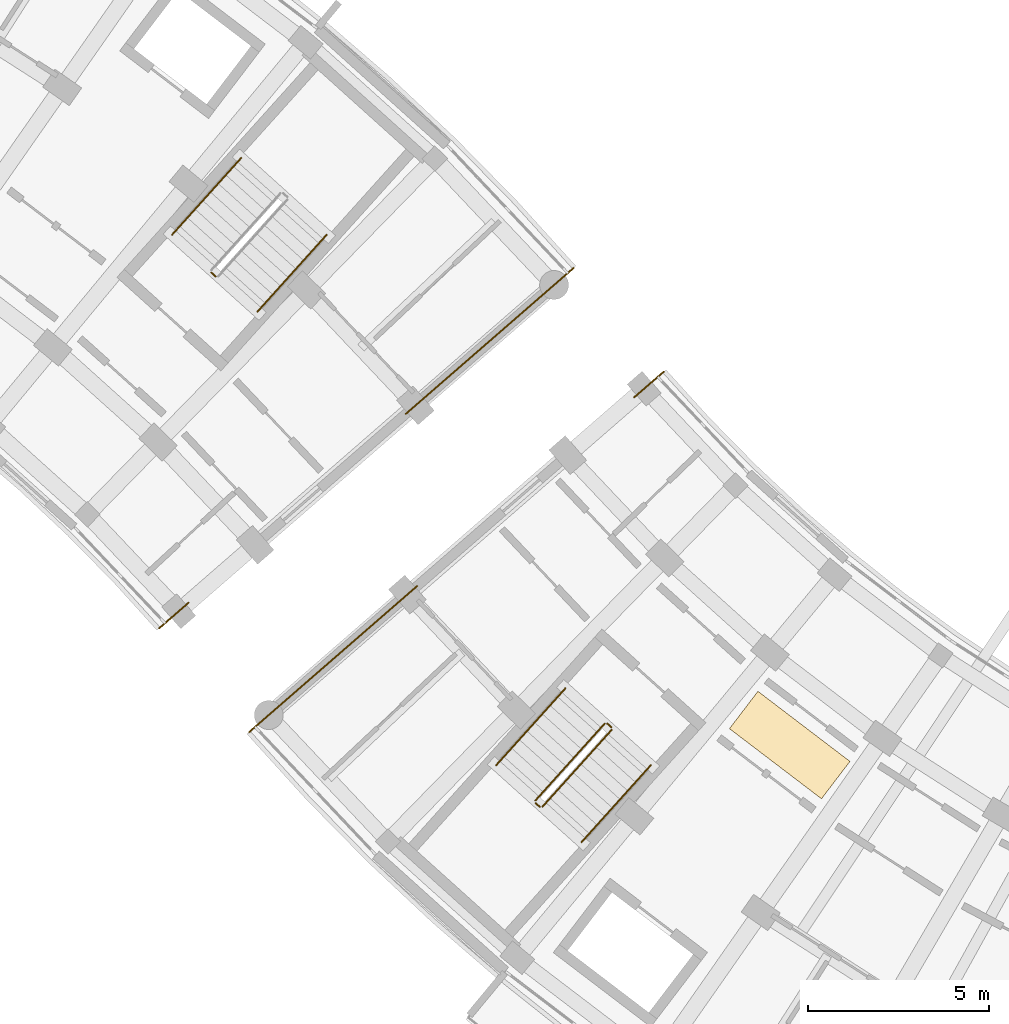
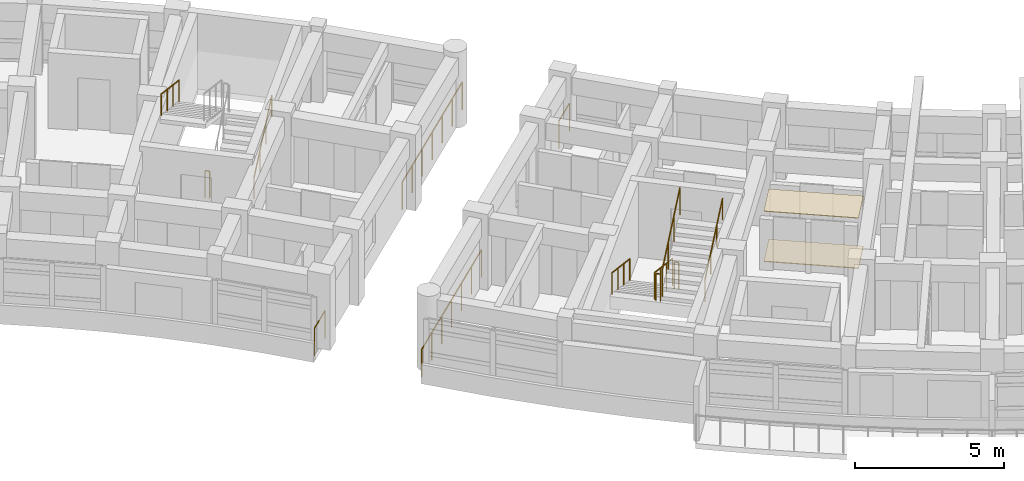
# One storey, part 64 of 70: 13 railings, 2 coverings.
"""IFC4 building model written with IfcOpenShell, lengths in metres."""

from ifc_helpers import new_model, si_unit, direction, frame, origin, origin_2d, place, context, subcontext, project, spatial, rectangle, circle, extrude, material, layer, layer_set, type_object, element, save


model = new_model("IFC4")

# Units and contexts
model_context = context("Model", 3, precision=1e-05, world=origin(), true_north=direction((0.0, 1.0)))
body_context = subcontext(model_context, "Body", "Model", "MODEL_VIEW")
ifc_project = project(units=[si_unit("LENGTHUNIT", "METRE"), si_unit("AREAUNIT", "SQUARE_METRE"), si_unit("VOLUMEUNIT", "CUBIC_METRE"), si_unit("PLANEANGLEUNIT", "RADIAN"), si_unit("MASSUNIT", "GRAM", prefix="KILO")], contexts=[model_context])

# Site, building, storey
site_placement = place(None, origin())
site = spatial("IfcSite", under=ifc_project, at=site_placement, CompositionType="ELEMENT")
building_placement = place(site_placement, origin())
building = spatial("IfcBuilding", under=site, at=building_placement, Name="Zimvara Arc Housing Community", CompositionType="ELEMENT")
storey_placement = place(building_placement, frame((0.0, 0.0, 8.10009765625)))
storey = spatial("IfcBuildingStorey", under=building, at=storey_placement, Name="L02", CompositionType="ELEMENT", Elevation=8.10009765625)

# Coverings
ifc_material_1 = material(Name="Perforated Acoustic Ceiling Board")
ifc_layer_1 = layer(ifc_material_1, 0.02490234375)
ifc_layer_set_1 = layer_set([ifc_layer_1], Name="Perforated Acoustic Ceiling Board")
covering_type_1 = type_object("IfcCoveringType", Name="COV-CEIL-03", PredefinedType="CEILING", material=ifc_layer_set_1)
covering_1_placement = place(storey_placement, frame((95.954833984375, 70.40087890625, 2.054931640625), z_axis=(0.0, 0.0, 1.0), x_axis=(-0.605988400266, -0.795473480855, 0.0)))
element("IfcCovering", 1, at=covering_1_placement, inside=storey, type_object=covering_type_1, Name="ceil:blkC:L02", PredefinedType="CEILING", context=body_context, shape_type="SweptSolid", body=[
    extrude(rectangle(XDim=1.300048828125, YDim=3.199951171875, at=origin_2d()), origin(), (0.0, 0.0, 1.0), 0.02490234375),
])
ifc_material_2 = material(Name="Polished Coastal Sand Terrazzo")
ifc_layer_2 = layer(ifc_material_2, 0.028076171875)
ifc_layer_set_2 = layer_set([ifc_layer_2], Name="Polished Coastal Sand Terrazzo")
covering_type_2 = type_object("IfcCoveringType", Name="COV-FLOR-03", PredefinedType="FLOORING", material=ifc_layer_set_2)
covering_2_placement = place(storey_placement, frame((95.954833984375, 70.40087890625, 0.0), z_axis=(0.0, 0.0, 1.0), x_axis=(-0.605988400266, -0.795473480855, 0.0)))
element("IfcCovering", 2, at=covering_2_placement, inside=storey, type_object=covering_type_2, Name="flor:blkC:L02", PredefinedType="FLOORING", context=body_context, shape_type="SweptSolid", body=[
    extrude(rectangle(XDim=1.300048828125, YDim=3.199951171875, at=origin_2d()), origin(), (0.0, 0.0, 1.0), 0.028076171875),
])

# Railings
ifc_material_3 = material(Name="Anodised Aluminium AW-6063", Category="aluminium")
railing_type_1 = type_object("IfcRailingType", Name="RLG-BAL-1120", PredefinedType="BALUSTRADE", material=ifc_material_3)
railing_1_placement = place(storey_placement, frame((80.074951171875, 83.3623046875, 0.0)))
element("IfcRailing", 3, at=railing_1_placement, inside=storey, type_object=railing_type_1, Name="L02 ST-B2 stair guard 4", PredefinedType="BALUSTRADE", context=body_context, shape_type="SweptSolid", body=[
    extrude(circle(Radius=0.02392578125, at=origin_2d()), frame((0.0, 0.0, 1.09619140625), z_axis=(-0.742763048172, 0.669554369913, 0.0), x_axis=(-0.669554369913, -0.742763048172, 0.0)), (0.0, 0.0, 1.0), 0.16015625),
    extrude(circle(Radius=0.02099609375, at=origin_2d()), origin(), (0.0, 0.0, 1.0), 1.072021484375),
    extrude(circle(Radius=0.02099609375, at=origin_2d()), frame((-0.118896484375, 0.107177734375, 0.0)), (0.0, 0.0, 1.0), 1.072021484375),
])
railing_2_placement = place(storey_placement, frame((90.83447265625, 70.993896484375, 0.15478515625)))
element("IfcRailing", 4, at=railing_2_placement, inside=storey, type_object=railing_type_1, Name="L02 ST-C1 stair guard 1", PredefinedType="BALUSTRADE", context=body_context, shape_type="SweptSolid", body=[
    extrude(circle(Radius=0.02392578125, at=origin_2d()), frame((0.0, 0.0, 1.09619140625), z_axis=(-0.601262536038, -0.668205807809, 0.438160200347), x_axis=(0.743362010683, -0.668889319, 0.0)), (0.0, 0.0, 1.0), 3.183837890625),
    extrude(circle(Radius=0.02099609375, at=origin_2d()), origin(), (0.0, 0.0, 1.0), 1.072021484375),
    extrude(circle(Radius=0.02099609375, at=origin_2d()), frame((-0.63818359375, -0.709228515625, 0.465087890625)), (0.0, 0.0, 1.0), 1.072021484375),
    extrude(circle(Radius=0.02099609375, at=origin_2d()), frame((-1.276123046875, -1.418212890625, 0.929931640625)), (0.0, 0.0, 1.0), 1.072021484375),
    extrude(circle(Radius=0.02099609375, at=origin_2d()), frame((-1.914306640625, -2.12744140625, 1.39501953125)), (0.0, 0.0, 1.0), 1.072021484375),
])
railing_3_placement = place(storey_placement, frame((88.923828125, 68.795654296875, 1.5498046875)))
element("IfcRailing", 5, at=railing_3_placement, inside=storey, type_object=railing_type_1, Name="L02 ST-C1 stair guard 2", PredefinedType="BALUSTRADE", context=body_context, shape_type="SweptSolid", body=[
    extrude(circle(Radius=0.02392578125, at=origin_2d()), frame((0.0, 0.0, 1.09619140625), z_axis=(0.744203407529, -0.667953058397, 0.0), x_axis=(0.667953058397, 0.744203407529, 0.0)), (0.0, 0.0, 1.0), 0.16015625),
    extrude(circle(Radius=0.02099609375, at=origin_2d()), origin(), (0.0, 0.0, 1.0), 1.072021484375),
    extrude(circle(Radius=0.02099609375, at=origin_2d()), frame((0.119140625, -0.10693359375, 0.0)), (0.0, 0.0, 1.0), 1.072021484375),
])
railing_4_placement = place(storey_placement, frame((89.113525390625, 68.6923828125, 1.704833984375)))
element("IfcRailing", 6, at=railing_4_placement, inside=storey, type_object=railing_type_1, Name="L02 ST-C1 stair guard 3", PredefinedType="BALUSTRADE", context=body_context, shape_type="SweptSolid", body=[
    extrude(circle(Radius=0.02392578125, at=origin_2d()), frame((0.0, 0.0, 1.09619140625), z_axis=(0.601231728384, 0.668248248038, 0.438137749775), x_axis=(-0.743400174344, 0.668846903847, 0.0)), (0.0, 0.0, 1.0), 3.18408203125),
    extrude(circle(Radius=0.02099609375, at=origin_2d()), origin(), (0.0, 0.0, 1.0), 1.072021484375),
    extrude(circle(Radius=0.02099609375, at=origin_2d()), frame((0.63818359375, 0.709228515625, 0.465087890625)), (0.0, 0.0, 1.0), 1.072021484375),
    extrude(circle(Radius=0.02099609375, at=origin_2d()), frame((1.276123046875, 1.41845703125, 0.929931640625)), (0.0, 0.0, 1.0), 1.072021484375),
    extrude(circle(Radius=0.02099609375, at=origin_2d()), frame((1.914306640625, 2.127685546875, 1.39501953125)), (0.0, 0.0, 1.0), 1.072021484375),
])
railing_5_placement = place(storey_placement, frame((90.905029296875, 70.99755859375, 0.0)))
element("IfcRailing", 7, at=railing_5_placement, inside=storey, type_object=railing_type_1, Name="L02 ST-C1 stair guard 4", PredefinedType="BALUSTRADE", context=body_context, shape_type="SweptSolid", body=[
    extrude(circle(Radius=0.02392578125, at=origin_2d()), frame((0.0, 0.0, 1.09619140625), z_axis=(0.744203407529, -0.667953058397, 0.0), x_axis=(0.667953058397, 0.744203407529, 0.0)), (0.0, 0.0, 1.0), 0.16015625),
    extrude(circle(Radius=0.02099609375, at=origin_2d()), origin(), (0.0, 0.0, 1.0), 1.072021484375),
    extrude(circle(Radius=0.02099609375, at=origin_2d()), frame((0.119140625, -0.10693359375, 0.0)), (0.0, 0.0, 1.0), 1.072021484375),
])
ifc_material_4 = material(Name="Anodised Aluminium AW-6063", Category="aluminium")
railing_type_2 = type_object("IfcRailingType", Name="RLG-BAL-1150", PredefinedType="BALUSTRADE", material=ifc_material_4)
railing_6_placement = place(storey_placement, frame((78.509033203125, 73.62890625, 0.0)))
element("IfcRailing", 8, at=railing_6_placement, inside=storey, type_object=railing_type_2, Name="rlg:blkB:L02:gable_in:gN", PredefinedType="BALUSTRADE", context=body_context, shape_type="SweptSolid", body=[
    extrude(circle(Radius=0.02392578125, at=origin_2d()), frame((0.0, 0.0, 1.1259765625), z_axis=(0.754659042762, 0.656117161167, 0.0), x_axis=(-0.656117161167, 0.754659042762, 0.0)), (0.0, 0.0, 1.0), 1.080322265625),
    extrude(circle(Radius=0.02099609375, at=origin_2d()), origin(), (0.0, 0.0, 1.0), 1.101806640625),
    extrude(circle(Radius=0.02099609375, at=origin_2d()), frame((0.815185546875, 0.708740234375, 0.0)), (0.0, 0.0, 1.0), 1.101806640625),
])
railing_7_placement = place(storey_placement, frame((85.331787109375, 79.559814453125, 0.0)))
element("IfcRailing", 9, at=railing_7_placement, inside=storey, type_object=railing_type_2, Name="rlg:blkB:L02:gable_out:gN", PredefinedType="BALUSTRADE", context=body_context, shape_type="SweptSolid", body=[
    extrude(circle(Radius=0.02392578125, at=origin_2d()), frame((0.0, 0.0, 1.1259765625), z_axis=(0.754708757217, 0.656059975749, 0.0), x_axis=(-0.656059975749, 0.754708757217, 0.0)), (0.0, 0.0, 1.0), 6.159912109375),
    extrude(circle(Radius=0.02099609375, at=origin_2d()), origin(), (0.0, 0.0, 1.0), 1.101806640625),
    extrude(circle(Radius=0.02099609375, at=origin_2d()), frame((0.77490234375, 0.673583984375, 0.0)), (0.0, 0.0, 1.0), 1.101806640625),
    extrude(circle(Radius=0.02099609375, at=origin_2d()), frame((1.549560546875, 1.34716796875, 0.0)), (0.0, 0.0, 1.0), 1.101806640625),
    extrude(circle(Radius=0.02099609375, at=origin_2d()), frame((2.324462890625, 2.0205078125, 0.0)), (0.0, 0.0, 1.0), 1.101806640625),
    extrude(circle(Radius=0.02099609375, at=origin_2d()), frame((3.099365234375, 2.694091796875, 0.0)), (0.0, 0.0, 1.0), 1.101806640625),
    extrude(circle(Radius=0.02099609375, at=origin_2d()), frame((3.8740234375, 3.36767578125, 0.0)), (0.0, 0.0, 1.0), 1.101806640625),
    extrude(circle(Radius=0.02099609375, at=origin_2d()), frame((4.64892578125, 4.041259765625, 0.0)), (0.0, 0.0, 1.0), 1.101806640625),
])
railing_8_placement = place(storey_placement, frame((92.470947265625, 80.73095703125, 0.0)))
element("IfcRailing", 10, at=railing_8_placement, inside=storey, type_object=railing_type_2, Name="rlg:blkC:L02:gable_in:g0", PredefinedType="BALUSTRADE", context=body_context, shape_type="SweptSolid", body=[
    extrude(circle(Radius=0.02392578125, at=origin_2d()), frame((0.0, 0.0, 1.1259765625), z_axis=(-0.75477095777, -0.655988415528, 0.0), x_axis=(0.655988415528, -0.75477095777, 0.0)), (0.0, 0.0, 1.0), 1.080078125),
    extrude(circle(Radius=0.02099609375, at=origin_2d()), origin(), (0.0, 0.0, 1.0), 1.101806640625),
    extrude(circle(Radius=0.02099609375, at=origin_2d()), frame((-0.815185546875, -0.70849609375, 0.0)), (0.0, 0.0, 1.0), 1.101806640625),
])
railing_9_placement = place(storey_placement, frame((85.6484375, 74.80029296875, 0.0)))
element("IfcRailing", 11, at=railing_9_placement, inside=storey, type_object=railing_type_2, Name="rlg:blkC:L02:gable_out:g0", PredefinedType="BALUSTRADE", context=body_context, shape_type="SweptSolid", body=[
    extrude(circle(Radius=0.02392578125, at=origin_2d()), frame((0.0, 0.0, 1.1259765625), z_axis=(-0.754706192268, -0.656062926367, 0.0), x_axis=(0.656062926367, -0.754706192268, 0.0)), (0.0, 0.0, 1.0), 6.16015625),
    extrude(circle(Radius=0.02099609375, at=origin_2d()), origin(), (0.0, 0.0, 1.0), 1.101806640625),
    extrude(circle(Radius=0.02099609375, at=origin_2d()), frame((-0.77490234375, -0.673583984375, 0.0)), (0.0, 0.0, 1.0), 1.101806640625),
    extrude(circle(Radius=0.02099609375, at=origin_2d()), frame((-1.5498046875, -1.34716796875, 0.0)), (0.0, 0.0, 1.0), 1.101806640625),
    extrude(circle(Radius=0.02099609375, at=origin_2d()), frame((-2.32470703125, -2.020751953125, 0.0)), (0.0, 0.0, 1.0), 1.101806640625),
    extrude(circle(Radius=0.02099609375, at=origin_2d()), frame((-3.099365234375, -2.6943359375, 0.0)), (0.0, 0.0, 1.0), 1.101806640625),
    extrude(circle(Radius=0.02099609375, at=origin_2d()), frame((-3.874267578125, -3.367919921875, 0.0)), (0.0, 0.0, 1.0), 1.101806640625),
    extrude(circle(Radius=0.02099609375, at=origin_2d()), frame((-4.649169921875, -4.04150390625, 0.0)), (0.0, 0.0, 1.0), 1.101806640625),
])
ifc_material_5 = material(Name="Anodised Aluminium AW-6063", Category="aluminium")
railing_type_3 = type_object("IfcRailingType", Name="RLG-HND-900", PredefinedType="HANDRAIL", material=ifc_material_5)
railing_10_placement = place(storey_placement, frame((81.230712890625, 82.389404296875, 0.15478515625)))
element("IfcRailing", 12, at=railing_10_placement, inside=storey, type_object=railing_type_3, Name="L02 ST-B2 stair handrail 1", PredefinedType="HANDRAIL", context=body_context, shape_type="SweptSolid", body=[
    extrude(circle(Radius=0.02392578125, at=origin_2d()), frame((0.0, 0.0, 0.8759765625), z_axis=(0.601231728384, 0.668248248038, 0.438137749775), x_axis=(-0.743400174344, 0.668846903847, 0.0)), (0.0, 0.0, 1.0), 3.18408203125),
    extrude(circle(Radius=0.02099609375, at=origin_2d()), origin(), (0.0, 0.0, 1.0), 0.851806640625),
    extrude(circle(Radius=0.02099609375, at=origin_2d()), frame((0.63818359375, 0.709228515625, 0.465087890625)), (0.0, 0.0, 1.0), 0.851806640625),
    extrude(circle(Radius=0.02099609375, at=origin_2d()), frame((1.276123046875, 1.41845703125, 0.929931640625)), (0.0, 0.0, 1.0), 0.851806640625),
    extrude(circle(Radius=0.02099609375, at=origin_2d()), frame((1.914306640625, 2.127685546875, 1.39501953125)), (0.0, 0.0, 1.0), 0.851806640625),
])
for number, where, name in (
    (13, (80.78125, 86.64404296875, 1.704833984375), "L02 ST-B2 stair handrail 2"),
    (14, (89.749267578125, 71.970458984375, 0.15478515625), "L02 ST-C1 stair handrail 1"),
):
    element("IfcRailing", number, at=place(storey_placement, frame(where)), inside=storey, type_object=railing_type_3, Name=name, PredefinedType="HANDRAIL", context=body_context, shape_type="SweptSolid", body=[
        extrude(circle(Radius=0.02392578125, at=origin_2d()), frame((0.0, 0.0, 0.8759765625), z_axis=(-0.601262536038, -0.668205807809, 0.438160200347), x_axis=(0.743362010683, -0.668889319, 0.0)), (0.0, 0.0, 1.0), 3.183837890625),
        extrude(circle(Radius=0.02099609375, at=origin_2d()), origin(), (0.0, 0.0, 1.0), 0.851806640625),
        extrude(circle(Radius=0.02099609375, at=origin_2d()), frame((-0.63818359375, -0.709228515625, 0.465087890625)), (0.0, 0.0, 1.0), 0.851806640625),
        extrude(circle(Radius=0.02099609375, at=origin_2d()), frame((-1.276123046875, -1.418212890625, 0.929931640625)), (0.0, 0.0, 1.0), 0.851806640625),
        extrude(circle(Radius=0.02099609375, at=origin_2d()), frame((-1.914306640625, -2.12744140625, 1.39501953125)), (0.0, 0.0, 1.0), 0.851806640625),
    ])
railing_11_placement = place(storey_placement, frame((90.19873046875, 67.7158203125, 1.704833984375)))
element("IfcRailing", 15, at=railing_11_placement, inside=storey, type_object=railing_type_3, Name="L02 ST-C1 stair handrail 2", PredefinedType="HANDRAIL", context=body_context, shape_type="SweptSolid", body=[
    extrude(circle(Radius=0.02392578125, at=origin_2d()), frame((0.0, 0.0, 0.8759765625), z_axis=(0.601231728384, 0.668248248038, 0.438137749775), x_axis=(-0.743400174344, 0.668846903847, 0.0)), (0.0, 0.0, 1.0), 3.18408203125),
    extrude(circle(Radius=0.02099609375, at=origin_2d()), origin(), (0.0, 0.0, 1.0), 0.851806640625),
    extrude(circle(Radius=0.02099609375, at=origin_2d()), frame((0.63818359375, 0.709228515625, 0.465087890625)), (0.0, 0.0, 1.0), 0.851806640625),
    extrude(circle(Radius=0.02099609375, at=origin_2d()), frame((1.276123046875, 1.41845703125, 0.929931640625)), (0.0, 0.0, 1.0), 0.851806640625),
    extrude(circle(Radius=0.02099609375, at=origin_2d()), frame((1.914306640625, 2.127685546875, 1.39501953125)), (0.0, 0.0, 1.0), 0.851806640625),
])

save(model, "model.ifc")
